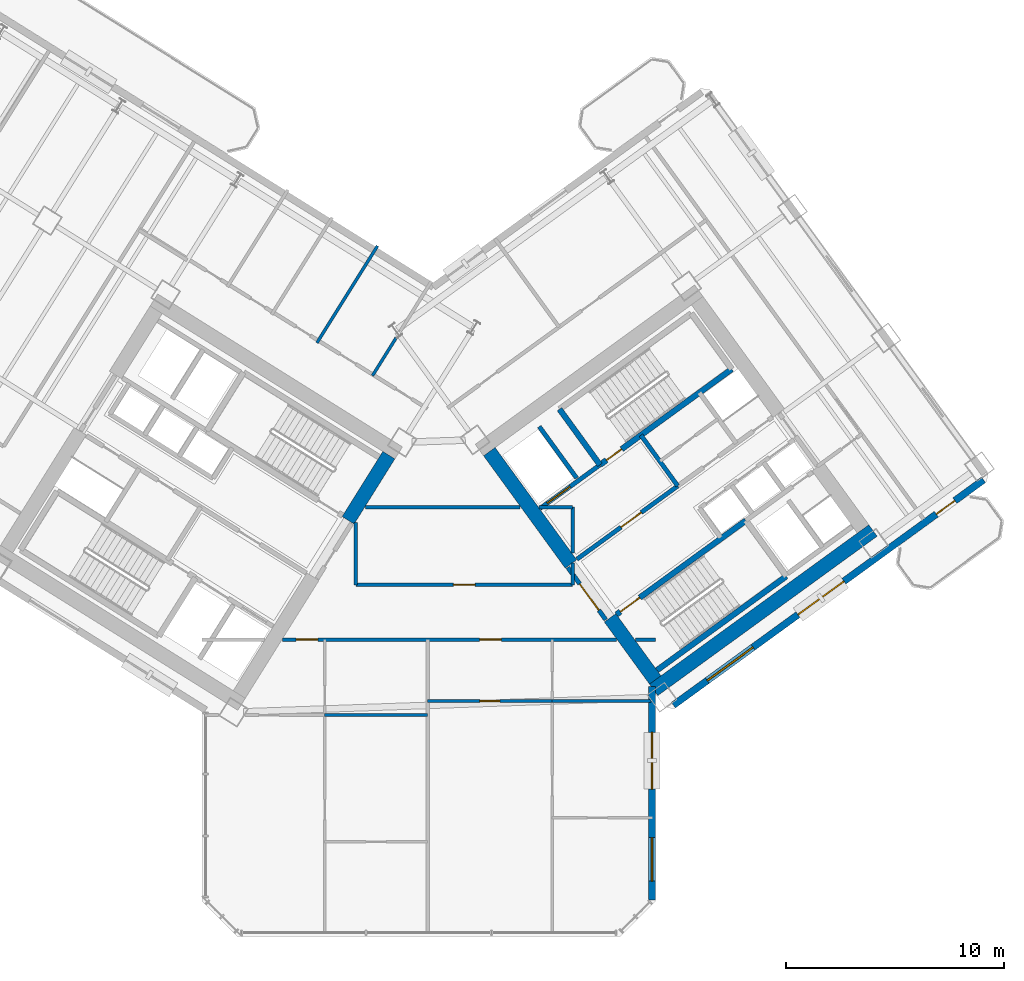
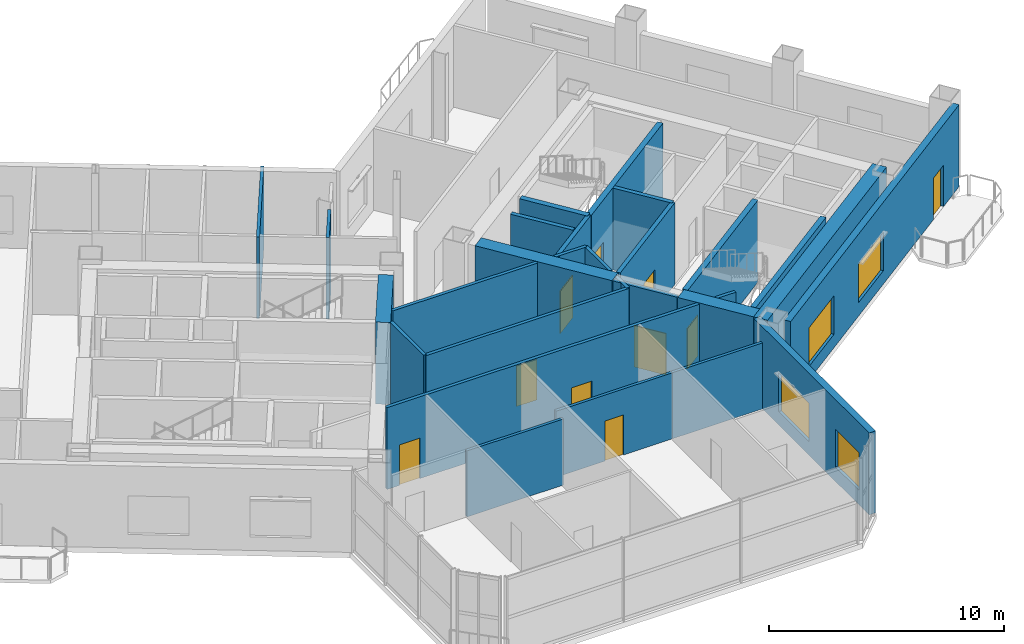
# One storey, part 13 of 19: 28 walls, 10 doors, 4 windows, 14 openings.
"""IFC4 building model written with IfcOpenShell, lengths in metres."""

from ifc_helpers import new_model, si_unit, direction, frame, frame_2d, origin, place, context, subcontext, project, spatial, rectangle, extrude, source, transform, mapped, material, layer, layer_set, type_object, element, fill, save


model = new_model("IFC4")

# Units and contexts
model_context = context("Model", 3, precision=1e-05, world=origin(), true_north=direction((0.0, 1.0)))
body_context = subcontext(model_context, "Body", "Model", "MODEL_VIEW")
ifc_project = project(units=[si_unit("LENGTHUNIT", "METRE"), si_unit("AREAUNIT", "SQUARE_METRE"), si_unit("VOLUMEUNIT", "CUBIC_METRE"), si_unit("PLANEANGLEUNIT", "RADIAN"), si_unit("MASSUNIT", "GRAM", prefix="KILO")], contexts=[model_context])

# Site, building, storey
site_placement = place(None, origin())
site = spatial("IfcSite", under=ifc_project, at=site_placement, CompositionType="ELEMENT")
building_placement = place(site_placement, origin())
building = spatial("IfcBuilding", under=site, at=building_placement, Name="Tlacorven Tower", CompositionType="ELEMENT")
storey_placement = place(building_placement, frame((0.0, 0.0, 76.5)))
storey = spatial("IfcBuildingStorey", under=building, at=storey_placement, Name="L19", CompositionType="ELEMENT", Elevation=76.5)

# Walls
ifc_material_1 = material(Name="Concrete C60/75", Category="concrete")
ifc_layer_1 = layer(ifc_material_1, 0.64990234375)
ifc_layer_set_1 = layer_set([ifc_layer_1], Name="Concrete C60/75")
wall_type_1 = type_object("IfcWallType", Name="WL-COR-650", PredefinedType="SHEAR", material=ifc_layer_set_1)
wall_1_placement = place(storey_placement, frame((40.167724609375, 23.880126953125, 0.0), z_axis=(0.0, 0.0, 1.0), x_axis=(-0.529893103397, -0.8480644427, 0.0)))
element("IfcWall", 1, at=wall_1_placement, inside=storey, type_object=wall_type_1, Name="L19 W core end wall E1.1", PredefinedType="SHEAR", context=body_context, shape_type="SweptSolid", body=[
    extrude(rectangle(XDim=3.525146484375, YDim=0.64990234375, at=frame_2d((1.7626953125, 0.0))), origin(), (0.0, 0.0, 1.0), 4.25),
])
wall_2_placement = place(storey_placement, frame((52.318359375, 13.1103515625, 0.0), z_axis=(0.0, 0.0, 1.0), x_axis=(0.809019445368, 0.587781878776, 0.0)))
element("IfcWall", 2, at=wall_2_placement, inside=storey, type_object=wall_type_1, Name="L19 E core shear wall S1", PredefinedType="SHEAR", context=body_context, shape_type="SweptSolid", body=[
    extrude(rectangle(XDim=12.43994140625, YDim=0.64990234375, at=frame_2d((6.219970703125, 0.0))), origin(), (0.0, 0.0, 1.0), 4.25),
])
wall_3_placement = place(storey_placement, frame((52.390380859375, 13.564208984375, 0.0), z_axis=(0.0, 0.0, 1.0), x_axis=(-0.58779688989, 0.809008539037, 0.0)))
element("IfcWall", 3, at=wall_3_placement, inside=storey, type_object=wall_type_1, Name="L19 E core end wall E1.1", PredefinedType="SHEAR", context=body_context, shape_type="SweptSolid", body=[
    extrude(rectangle(XDim=3.525146484375, YDim=0.64990234375, at=frame_2d((1.7626953125, 0.0))), origin(), (0.0, 0.0, 1.0), 4.25),
])
wall_4_placement = place(storey_placement, frame((48.525634765625, 18.883544921875, 0.0), z_axis=(0.0, 0.0, 1.0), x_axis=(-0.58777996584, 0.809020835181, 0.0)))
element("IfcWall", 4, at=wall_4_placement, inside=storey, type_object=wall_type_1, Name="L19 E core end wall E1.2", PredefinedType="SHEAR", context=body_context, shape_type="SweptSolid", body=[
    extrude(rectangle(XDim=6.375, YDim=0.64990234375, at=frame_2d((3.1875, 0.0))), origin(), (0.0, 0.0, 1.0), 4.25),
])

# Wall, openings, doors
ifc_material_2 = material(Name="Gypsum plasterboard acoustic partition", Category="gypsum")
ifc_layer_2 = layer(ifc_material_2, 0.159912109375)
ifc_layer_set_2 = layer_set([ifc_layer_2], Name="Gypsum plasterboard acoustic partition")
wall_type_2 = type_object("IfcWallType", Name="WL-DEM-160", PredefinedType="PARTITIONING", material=ifc_layer_set_2)
wall_5_placement = place(storey_placement, frame((35.29638671875, 15.419921875, 0.0), z_axis=(0.0, 0.0, 1.0), x_axis=(1.0, 0.0, 0.0)))
wall_5 = element("IfcWall", 5, at=wall_5_placement, inside=storey, type_object=wall_type_2, Name="L19 Knuckle Corridor South Wall", PredefinedType="PARTITIONING", context=body_context, shape_type="SweptSolid", body=[
    extrude(rectangle(XDim=15.310546875, YDim=0.159912109375, at=frame_2d((7.6552734375, 0.0))), origin(), (0.0, 0.0, 1.0), 4.239990234375),
])
opening_1_placement = place(wall_5_placement, frame((0.61474609375, 0.0, 0.0)))
opening_1 = element("IfcOpeningElement", 6, at=opening_1_placement, cuts=wall_5, Name="Opening D11", PredefinedType="OPENING", context=body_context, shape_type="SweptSolid", body=[
    extrude(rectangle(XDim=1.0, YDim=2.10009765625, at=frame_2d((0.5, 1.050048828125))), frame((0.0, 0.08984375, 0.0), z_axis=(0.0, -1.0, 0.0), x_axis=(1.0, 0.0, 0.0)), (0.0, 0.0, 1.0), 0.179931640625),
])
opening_2_placement = place(wall_5_placement, frame((9.03515625, 0.0, 0.0)))
opening_2 = element("IfcOpeningElement", 7, at=opening_2_placement, cuts=wall_5, Name="Opening D11", PredefinedType="OPENING", context=body_context, shape_type="SweptSolid", body=[
    extrude(rectangle(XDim=1.0, YDim=2.10009765625, at=frame_2d((0.5, 1.050048828125))), frame((0.0, 0.08984375, 0.0), z_axis=(0.0, -1.0, 0.0), x_axis=(1.0, 0.0, 0.0)), (0.0, 0.0, 1.0), 0.179931640625),
])
ifc_material_3 = material(Name="Fire-rated steel door assembly", Category="steel")
door_type_1 = type_object("IfcDoorType", Name="DR-FLT-FD60-1000", OperationType="NOTDEFINED", PredefinedType="DOOR", material=ifc_material_3)
shared_shape_1 = source(origin(), body_context, "Body", "SweptSolid", [
    extrude(rectangle(XDim=1.0, YDim=2.10009765625, at=frame_2d((0.5, 1.050048828125))), frame((0.0, 0.02490234375, 0.0), z_axis=(0.0, -1.0, 0.0), x_axis=(1.0, 0.0, 0.0)), (0.0, 0.0, 1.0), 0.050048828125),
])
door_1_placement = place(opening_1_placement, frame((1.0, 0.0, 0.0), z_axis=(0.0, 0.0, 1.0), x_axis=(-1.0, 0.0, 0.0)))
door_1 = element("IfcDoor", 8, at=door_1_placement, inside=storey, type_object=door_type_1, Name="L19 door 035", OperationType="SINGLE_SWING_RIGHT", OverallHeight=2.10009765625, OverallWidth=1.0, PredefinedType="DOOR", context=body_context, shape_type="MappedRepresentation", body=[
    mapped(shared_shape_1, transform((0.0, 0.0, 0.0), scale=1.0)),
])
fill(opening_1, door_1)
door_2_placement = place(opening_2_placement, frame((1.0, 0.0, 0.0), z_axis=(0.0, 0.0, 1.0), x_axis=(-1.0, 0.0, 0.0)))
door_2 = element("IfcDoor", 9, at=door_2_placement, inside=storey, type_object=door_type_1, Name="L19 door 040", OperationType="SINGLE_SWING_LEFT", OverallHeight=2.10009765625, OverallWidth=1.0, PredefinedType="DOOR", context=body_context, shape_type="MappedRepresentation", body=[
    mapped(shared_shape_1, transform((0.0, 0.0, 0.0), scale=1.0)),
])
fill(opening_2, door_2)

# Wall
wall_6_placement = place(storey_placement, frame((51.477294921875, 15.419921875, 0.0), z_axis=(0.0, 0.0, 1.0), x_axis=(1.0, 0.0, 0.0)))
element("IfcWall", 10, at=wall_6_placement, inside=storey, type_object=wall_type_2, Name="L19 Knuckle Corridor South Wall", PredefinedType="PARTITIONING", context=body_context, shape_type="SweptSolid", body=[
    extrude(rectangle(XDim=0.922607421875, YDim=0.159912109375, at=frame_2d((0.46142578125, 0.0))), origin(), (0.0, 0.0, 1.0), 4.239990234375),
])

# Wall, opening, door
wall_7_placement = place(storey_placement, frame((38.64990234375, 17.929931640625, 0.0), z_axis=(0.0, 0.0, 1.0), x_axis=(1.0, 0.0, 0.0)))
wall_7 = element("IfcWall", 11, at=wall_7_placement, inside=storey, type_object=wall_type_2, Name="L19 partition 64", PredefinedType="PARTITIONING", context=body_context, shape_type="SweptSolid", body=[
    extrude(rectangle(XDim=9.9501953125, YDim=0.159912109375, at=frame_2d((4.97509765625, 0.0))), origin(), (0.0, 0.0, 1.0), 4.239990234375),
])
opening_3_placement = place(wall_7_placement, frame((4.47509765625, 0.0, 0.0)))
opening_3 = element("IfcOpeningElement", 12, at=opening_3_placement, cuts=wall_7, Name="Opening D11", PredefinedType="OPENING", context=body_context, shape_type="SweptSolid", body=[
    extrude(rectangle(XDim=1.0, YDim=2.10009765625, at=frame_2d((0.5, 1.050048828125))), frame((0.0, 0.08984375, 0.0), z_axis=(0.0, -1.0, 0.0), x_axis=(1.0, 0.0, 0.0)), (0.0, 0.0, 1.0), 0.179931640625),
])
door_3_placement = place(opening_3_placement, origin())
door_3 = element("IfcDoor", 13, at=door_3_placement, inside=storey, type_object=door_type_1, Name="L19 door 030", OperationType="SINGLE_SWING_LEFT", OverallHeight=2.10009765625, OverallWidth=1.0, PredefinedType="DOOR", context=body_context, shape_type="MappedRepresentation", body=[
    mapped(shared_shape_1, transform((0.0, 0.0, 0.0), scale=1.0)),
])
fill(opening_3, door_3)

# Walls
wall_8_placement = place(storey_placement, frame((38.64990234375, 17.929931640625, 0.0), z_axis=(0.0, 0.0, 1.0), x_axis=(0.0, 1.0, 0.0)))
element("IfcWall", 14, at=wall_8_placement, inside=storey, type_object=wall_type_2, Name="L19 partition 65", PredefinedType="PARTITIONING", context=body_context, shape_type="SweptSolid", body=[
    extrude(rectangle(XDim=2.85693359375, YDim=0.159912109375, at=frame_2d((1.428466796875, 0.0))), origin(), (0.0, 0.0, 1.0), 4.239990234375),
])
wall_9_placement = place(storey_placement, frame((48.60009765625, 17.929931640625, 0.0), z_axis=(0.0, 0.0, 1.0), x_axis=(0.0, 1.0, 0.0)))
element("IfcWall", 15, at=wall_9_placement, inside=storey, type_object=wall_type_2, Name="L19 partition 66", PredefinedType="PARTITIONING", context=body_context, shape_type="SweptSolid", body=[
    extrude(rectangle(XDim=0.99267578125, YDim=0.159912109375, at=frame_2d((0.496337890625, 0.0))), origin(), (0.0, 0.0, 1.0), 4.239990234375),
])
wall_10_placement = place(storey_placement, frame((48.60009765625, 19.380126953125, 0.0), z_axis=(0.0, 0.0, 1.0), x_axis=(0.0, 1.0, 0.0)))
element("IfcWall", 16, at=wall_10_placement, inside=storey, type_object=wall_type_2, Name="L19 partition 66", PredefinedType="PARTITIONING", context=body_context, shape_type="SweptSolid", body=[
    extrude(rectangle(XDim=2.119873046875, YDim=0.159912109375, at=frame_2d((1.06005859375, 0.0))), origin(), (0.0, 0.0, 1.0), 4.239990234375),
])
wall_11_placement = place(storey_placement, frame((39.095458984375, 21.5, 0.0), z_axis=(0.0, 0.0, 1.0), x_axis=(1.0, 0.0, 0.0)))
element("IfcWall", 17, at=wall_11_placement, inside=storey, type_object=wall_type_2, Name="L19 partition 67", PredefinedType="PARTITIONING", context=body_context, shape_type="SweptSolid", body=[
    extrude(rectangle(XDim=7.09423828125, YDim=0.159912109375, at=frame_2d((3.547119140625, 0.0))), origin(), (0.0, 0.0, 1.0), 4.239990234375),
])
wall_12_placement = place(storey_placement, frame((47.059814453125, 21.5, 0.0), z_axis=(0.0, 0.0, 1.0), x_axis=(1.0, 0.0, 0.0)))
element("IfcWall", 18, at=wall_12_placement, inside=storey, type_object=wall_type_2, Name="L19 partition 67", PredefinedType="PARTITIONING", context=body_context, shape_type="SweptSolid", body=[
    extrude(rectangle(XDim=1.540283203125, YDim=0.159912109375, at=frame_2d((0.77001953125, 0.0))), origin(), (0.0, 0.0, 1.0), 4.239990234375),
])

# Wall, openings, door, windows
ifc_material_4 = material(Name="Precast concrete C45/55", Category="concrete")
ifc_layer_3 = layer(ifc_material_4, 0.320068359375)
ifc_layer_set_3 = layer_set([ifc_layer_3], Name="Precast concrete C45/55")
wall_type_3 = type_object("IfcWallType", Name="WL-EXT-320", PredefinedType="STANDARD", material=ifc_layer_set_3)
wall_13_placement = place(storey_placement, frame((67.45361328125, 22.746826171875, 0.0), z_axis=(0.0, 0.0, 1.0), x_axis=(-0.809021120468, -0.587779573171, 0.0)))
wall_13 = element("IfcWall", 19, at=wall_13_placement, inside=storey, type_object=wall_type_3, Name="L19 Masonry-Frame Recessed Facade Wall 6", PredefinedType="STANDARD", context=body_context, shape_type="SweptSolid", body=[
    extrude(rectangle(XDim=17.587646484375, YDim=0.320068359375, at=frame_2d((8.7939453125, 0.0))), origin(), (0.0, 0.0, 1.0), 4.25),
])
opening_4_placement = place(wall_13_placement, frame((1.623779296875, 0.0, 0.0)))
opening_4 = element("IfcOpeningElement", 20, at=opening_4_placement, cuts=wall_13, Name="Opening D06", PredefinedType="OPENING", context=body_context, shape_type="SweptSolid", body=[
    extrude(rectangle(XDim=1.050048828125, YDim=2.14990234375, at=frame_2d((0.52490234375, 1.074951171875))), frame((0.0, 0.169921875, 0.0), z_axis=(0.0, -1.0, 0.0), x_axis=(1.0, 0.0, 0.0)), (0.0, 0.0, 1.0), 0.340087890625),
])
opening_5_placement = place(wall_13_placement, frame((7.918701171875, 0.0, 0.699951171875)))
opening_5 = element("IfcOpeningElement", 21, at=opening_5_placement, cuts=wall_13, Name="Opening WN10", PredefinedType="OPENING", context=body_context, shape_type="SweptSolid", body=[
    extrude(rectangle(XDim=2.60009765625, YDim=2.0, at=frame_2d((1.300048828125, 1.0))), frame((0.0, 0.169921875, 0.0), z_axis=(0.0, -1.0, 0.0), x_axis=(1.0, 0.0, 0.0)), (0.0, 0.0, 1.0), 0.340087890625),
])
opening_6_placement = place(wall_13_placement, frame((13.068603515625, 0.0, 0.699951171875)))
opening_6 = element("IfcOpeningElement", 22, at=opening_6_placement, cuts=wall_13, Name="Opening WN10", PredefinedType="OPENING", context=body_context, shape_type="SweptSolid", body=[
    extrude(rectangle(XDim=2.60009765625, YDim=2.0, at=frame_2d((1.300048828125, 1.0))), frame((0.0, 0.169921875, 0.0), z_axis=(0.0, -1.0, 0.0), x_axis=(1.0, 0.0, 0.0)), (0.0, 0.0, 1.0), 0.340087890625),
])
ifc_material_5 = material(Name="Powder-coated aluminium and timber door", Category="wood")
door_type_2 = type_object("IfcDoorType", Name="DR-EXT-BALC-1050", OperationType="NOTDEFINED", PredefinedType="DOOR", material=ifc_material_5)
shared_shape_2 = source(origin(), body_context, "Body", "SweptSolid", [
    extrude(rectangle(XDim=1.050048828125, YDim=2.14990234375, at=frame_2d((0.52490234375, 1.074951171875))), frame((0.0, 0.02490234375, 0.0), z_axis=(0.0, -1.0, 0.0), x_axis=(1.0, 0.0, 0.0)), (0.0, 0.0, 1.0), 0.050048828125),
])
door_4_placement = place(opening_4_placement, origin())
door_4 = element("IfcDoor", 23, at=door_4_placement, inside=storey, type_object=door_type_2, Name="L19 Outdoor Access Door BAL-L19-E-OUT", OperationType="SINGLE_SWING_LEFT", OverallHeight=2.14990234375, OverallWidth=1.050048828125, PredefinedType="DOOR", context=body_context, shape_type="MappedRepresentation", body=[
    mapped(shared_shape_2, transform((0.0, 0.0, 0.0), scale=1.0)),
])
fill(opening_4, door_4)
ifc_material_6 = material(Name="Dark solar low-E double glazing in anodised aluminium frame", Category="aluminium")
window_type_1 = type_object("IfcWindowType", Name="WN-COM-2600X2200", PartitioningType="SINGLE_PANEL", PredefinedType="WINDOW", material=ifc_material_6)
shared_shape_3 = source(origin(), body_context, "Body", "SweptSolid", [
    extrude(rectangle(XDim=2.60009765625, YDim=2.0, at=frame_2d((1.300048828125, 1.0))), frame((0.0, 0.030029296875, 0.0), z_axis=(0.0, -1.0, 0.0), x_axis=(1.0, 0.0, 0.0)), (0.0, 0.0, 1.0), 0.06005859375),
])
window_1_placement = place(opening_5_placement, origin())
window_1 = element("IfcWindow", 24, at=window_1_placement, inside=storey, type_object=window_type_1, Name="L19 Recessed Masonry-Frame Window L19-06.1", OverallHeight=2.0, OverallWidth=2.60009765625, PartitioningType="SINGLE_PANEL", PredefinedType="WINDOW", context=body_context, shape_type="MappedRepresentation", body=[
    mapped(shared_shape_3, transform((0.0, 0.0, 0.0), scale=1.0)),
])
fill(opening_5, window_1)
window_2_placement = place(opening_6_placement, origin())
window_2 = element("IfcWindow", 25, at=window_2_placement, inside=storey, type_object=window_type_1, Name="L19 Recessed Masonry-Frame Window L19-06.2", OverallHeight=2.0, OverallWidth=2.60009765625, PartitioningType="SINGLE_PANEL", PredefinedType="WINDOW", context=body_context, shape_type="MappedRepresentation", body=[
    mapped(shared_shape_3, transform((0.0, 0.0, 0.0), scale=1.0)),
])
fill(opening_6, window_2)

# Wall, openings, windows
wall_14_placement = place(storey_placement, frame((52.239990234375, 13.260986328125, 0.0), z_axis=(0.0, 0.0, 1.0), x_axis=(0.0, -1.0, 0.0)))
wall_14 = element("IfcWall", 26, at=wall_14_placement, inside=storey, type_object=wall_type_3, Name="L19 Masonry-Frame Recessed Facade Wall 7", PredefinedType="STANDARD", context=body_context, shape_type="SweptSolid", body=[
    extrude(rectangle(XDim=9.794677734375, YDim=0.320068359375, at=frame_2d((4.8974609375, 0.0))), origin(), (0.0, 0.0, 1.0), 4.25),
])
opening_7_placement = place(wall_14_placement, frame((2.099365234375, 0.0, 0.699951171875)))
opening_7 = element("IfcOpeningElement", 27, at=opening_7_placement, cuts=wall_14, Name="Opening WN10", PredefinedType="OPENING", context=body_context, shape_type="SweptSolid", body=[
    extrude(rectangle(XDim=2.60009765625, YDim=2.0, at=frame_2d((1.300048828125, 1.0))), frame((0.0, 0.169921875, 0.0), z_axis=(0.0, -1.0, 0.0), x_axis=(1.0, 0.0, 0.0)), (0.0, 0.0, 1.0), 0.340087890625),
])
opening_8_placement = place(wall_14_placement, frame((6.93017578125, 0.0, 0.75)))
opening_8 = element("IfcOpeningElement", 28, at=opening_8_placement, cuts=wall_14, Name="Opening WN11", PredefinedType="OPENING", context=body_context, shape_type="SweptSolid", body=[
    extrude(rectangle(XDim=2.0, YDim=1.949951171875, at=frame_2d((1.0, 0.97509765625))), frame((0.0, 0.169921875, 0.0), z_axis=(0.0, -1.0, 0.0), x_axis=(1.0, 0.0, 0.0)), (0.0, 0.0, 1.0), 0.340087890625),
])
window_3_placement = place(opening_7_placement, origin())
window_3 = element("IfcWindow", 29, at=window_3_placement, inside=storey, type_object=window_type_1, Name="L19 Recessed Masonry-Frame Window L19-07.1", OverallHeight=2.0, OverallWidth=2.60009765625, PartitioningType="SINGLE_PANEL", PredefinedType="WINDOW", context=body_context, shape_type="MappedRepresentation", body=[
    mapped(shared_shape_3, transform((0.0, 0.0, 0.0), scale=1.0)),
])
fill(opening_7, window_3)
window_type_2 = type_object("IfcWindowType", Name="WN-COM-2000X2100", PartitioningType="SINGLE_PANEL", PredefinedType="WINDOW", material=ifc_material_6)
shared_shape_4 = source(origin(), body_context, "Body", "SweptSolid", [
    extrude(rectangle(XDim=2.0, YDim=1.949951171875, at=frame_2d((1.0, 0.97509765625))), frame((0.0, 0.030029296875, 0.0), z_axis=(0.0, -1.0, 0.0), x_axis=(1.0, 0.0, 0.0)), (0.0, 0.0, 1.0), 0.06005859375),
])
window_4_placement = place(opening_8_placement, origin())
window_4 = element("IfcWindow", 30, at=window_4_placement, inside=storey, type_object=window_type_2, Name="L19 Recessed Masonry-Frame Window L19-07.2", OverallHeight=1.949951171875, OverallWidth=2.0, PartitioningType="SINGLE_PANEL", PredefinedType="WINDOW", context=body_context, shape_type="MappedRepresentation", body=[
    mapped(shared_shape_4, transform((0.0, 0.0, 0.0), scale=1.0)),
])
fill(opening_8, window_4)

# Walls
ifc_material_7 = material(Name="Moisture-resistant gypsum plumbing wall", Category="gypsum")
ifc_layer_4 = layer(ifc_material_7, 0.139892578125)
ifc_layer_set_4 = layer_set([ifc_layer_4], Name="Moisture-resistant gypsum plumbing wall")
wall_type_4 = type_object("IfcWallType", Name="WL-PLM-140", PredefinedType="PLUMBINGWALL", material=ifc_layer_set_4)
wall_15_placement = place(storey_placement, frame((40.511962890625, 29.28076171875, 0.0), z_axis=(0.0, 0.0, 1.0), x_axis=(-0.529935255849, -0.848038103276, 0.0)))
element("IfcWall", 31, at=wall_15_placement, inside=storey, type_object=wall_type_4, Name="L19 partition 57", PredefinedType="PLUMBINGWALL", context=body_context, shape_type="SweptSolid", body=[
    extrude(rectangle(XDim=2.067626953125, YDim=0.139892578125, at=frame_2d((1.03369140625, 0.0))), origin(), (0.0, 0.0, 1.0), 4.239990234375),
])
wall_16_placement = place(storey_placement, frame((39.645751953125, 33.48046875, 0.0), z_axis=(0.0, 0.0, 1.0), x_axis=(-0.529923555071, -0.848045414928, 0.0)))
element("IfcWall", 32, at=wall_16_placement, inside=storey, type_object=wall_type_4, Name="L19 partition 59", PredefinedType="PLUMBINGWALL", context=body_context, shape_type="SweptSolid", body=[
    extrude(rectangle(XDim=5.239990234375, YDim=0.139892578125, at=frame_2d((2.6201171875, 0.0))), origin(), (0.0, 0.0, 1.0), 4.239990234375),
])
wall_17_placement = place(storey_placement, frame((37.221923828125, 11.949951171875, 0.0), z_axis=(0.0, 0.0, 1.0), x_axis=(1.0, 0.0, 0.0)))
element("IfcWall", 33, at=wall_17_placement, inside=storey, type_object=wall_type_4, Name="L19 partition 72", PredefinedType="PLUMBINGWALL", context=body_context, shape_type="SweptSolid", body=[
    extrude(rectangle(XDim=4.72802734375, YDim=0.139892578125, at=frame_2d((2.364013671875, 0.0))), origin(), (0.0, 0.0, 1.0), 3.425048828125),
])

# Wall, opening, door
wall_18_placement = place(storey_placement, frame((41.949951171875, 12.60009765625, 0.0), z_axis=(0.0, 0.0, 1.0), x_axis=(1.0, 0.0, 0.0)))
wall_18 = element("IfcWall", 34, at=wall_18_placement, inside=storey, type_object=wall_type_4, Name="L19 partition 75", PredefinedType="PLUMBINGWALL", context=body_context, shape_type="SweptSolid", body=[
    extrude(rectangle(XDim=5.713134765625, YDim=0.139892578125, at=frame_2d((2.8564453125, 0.0))), origin(), (0.0, 0.0, 1.0), 3.425048828125),
])
opening_9_placement = place(wall_18_placement, frame((2.396484375, 0.0, 0.0)))
opening_9 = element("IfcOpeningElement", 35, at=opening_9_placement, cuts=wall_18, Name="Opening D12", PredefinedType="OPENING", context=body_context, shape_type="SweptSolid", body=[
    extrude(rectangle(XDim=0.919921875, YDim=2.080078125, at=frame_2d((0.4599609375, 1.0400390625))), frame((0.0, 0.080078125, 0.0), z_axis=(0.0, -1.0, 0.0), x_axis=(1.0, 0.0, 0.0)), (0.0, 0.0, 1.0), 0.159912109375),
])
door_type_3 = type_object("IfcDoorType", Name="DR-INT-ROOM-0920", OperationType="NOTDEFINED", PredefinedType="DOOR", material=ifc_material_5)
shared_shape_5 = source(origin(), body_context, "Body", "SweptSolid", [
    extrude(rectangle(XDim=0.919921875, YDim=2.080078125, at=frame_2d((0.4599609375, 1.0400390625))), frame((0.0, 0.02490234375, 0.0), z_axis=(0.0, -1.0, 0.0), x_axis=(1.0, 0.0, 0.0)), (0.0, 0.0, 1.0), 0.050048828125),
])
door_5_placement = place(opening_9_placement, frame((0.919921875, 0.0, 0.0), z_axis=(0.0, 0.0, 1.0), x_axis=(-1.0, 0.0, 0.0)))
door_5 = element("IfcDoor", 36, at=door_5_placement, inside=storey, type_object=door_type_3, Name="L19 door 041", OperationType="SINGLE_SWING_RIGHT", OverallHeight=2.080078125, OverallWidth=0.919921875, PredefinedType="DOOR", context=body_context, shape_type="MappedRepresentation", body=[
    mapped(shared_shape_5, transform((0.0, 0.0, 0.0), scale=1.0)),
])
fill(opening_9, door_5)

# Wall
wall_19_placement = place(storey_placement, frame((47.6630859375, 12.60009765625, 0.0), z_axis=(0.0, 0.0, 1.0), x_axis=(1.0, 0.0, 0.0)))
element("IfcWall", 37, at=wall_19_placement, inside=storey, type_object=wall_type_4, Name="L19 partition 76", PredefinedType="PLUMBINGWALL", context=body_context, shape_type="SweptSolid", body=[
    extrude(rectangle(XDim=4.535400390625, YDim=0.139892578125, at=frame_2d((2.267578125, 0.0))), origin(), (0.0, 0.0, 1.0), 3.425048828125),
])

# Wall, opening, door
ifc_material_8 = material(Name="Concrete C40/50", Category="concrete")
ifc_layer_5 = layer(ifc_material_8, 0.199951171875)
ifc_layer_set_5 = layer_set([ifc_layer_5], Name="Concrete C40/50")
wall_type_5 = type_object("IfcWallType", Name="WL-SHF-200", PredefinedType="STANDARD", material=ifc_layer_set_5)
wall_20_placement = place(storey_placement, frame((47.10595703125, 21.4365234375, 0.0), z_axis=(0.0, 0.0, 1.0), x_axis=(0.809012514015, 0.58779141893, 0.0)))
wall_20 = element("IfcWall", 38, at=wall_20_placement, inside=storey, type_object=wall_type_5, Name="L19 Core E Firefighting Lift Shaft Front Wall", PredefinedType="STANDARD", context=body_context, shape_type="SweptSolid", body=[
    extrude(rectangle(XDim=3.39794921875, YDim=0.199951171875, at=frame_2d((1.698974609375, 0.0))), origin(), (0.0, 0.0, 1.0), 4.239990234375),
])
opening_10_placement = place(wall_20_placement, frame((0.407958984375, 0.0, 0.0)))
opening_10 = element("IfcOpeningElement", 39, at=opening_10_placement, cuts=wall_20, Name="Opening LD03", PredefinedType="OPENING", context=body_context, shape_type="SweptSolid", body=[
    extrude(rectangle(XDim=1.300048828125, YDim=2.199951171875, at=frame_2d((0.64990234375, 1.10009765625))), frame((0.0, 0.10986328125, 0.0), z_axis=(0.0, -1.0, 0.0), x_axis=(1.0, 0.0, 0.0)), (0.0, 0.0, 1.0), 0.219970703125),
])
door_type_4 = type_object("IfcDoorType", Name="DR-LFT-SLID-1300", OperationType="DOUBLE_DOOR_SLIDING", PredefinedType="DOOR", material=ifc_material_3)
shared_shape_6 = source(origin(), body_context, "Body", "SweptSolid", [
    extrude(rectangle(XDim=1.300048828125, YDim=2.199951171875, at=frame_2d((0.64990234375, 1.10009765625))), frame((0.0, 0.02490234375, 0.0), z_axis=(0.0, -1.0, 0.0), x_axis=(1.0, 0.0, 0.0)), (0.0, 0.0, 1.0), 0.050048828125),
])
door_6_placement = place(opening_10_placement, origin())
door_6 = element("IfcDoor", 40, at=door_6_placement, inside=storey, type_object=door_type_4, Name="L19 Lift FFL-E1 Sliding Landing Door", OperationType="DOUBLE_DOOR_SLIDING", OverallHeight=2.199951171875, OverallWidth=1.300048828125, PredefinedType="DOOR", context=body_context, shape_type="MappedRepresentation", body=[
    mapped(shared_shape_6, transform((0.0, 0.0, 0.0), scale=1.0)),
])
fill(opening_10, door_6)

wall_21_placement = place(storey_placement, frame((48.798828125, 19.106689453125, 0.0), z_axis=(0.0, 0.0, 1.0), x_axis=(0.809012959416, 0.587790805897, 0.0)))
wall_21 = element("IfcWall", 41, at=wall_21_placement, inside=storey, type_object=wall_type_5, Name="L19 Core E Smoke Lobby Wall", PredefinedType="STANDARD", context=body_context, shape_type="SweptSolid", body=[
    extrude(rectangle(XDim=5.7177734375, YDim=0.199951171875, at=frame_2d((2.85888671875, 0.0))), origin(), (0.0, 0.0, 1.0), 4.239990234375),
])
opening_11_placement = place(wall_21_placement, frame((2.498046875, 0.0, 0.0)))
opening_11 = element("IfcOpeningElement", 42, at=opening_11_placement, cuts=wall_21, Name="Opening D09", PredefinedType="OPENING", context=body_context, shape_type="SweptSolid", body=[
    extrude(rectangle(XDim=1.14990234375, YDim=2.10009765625, at=frame_2d((0.574951171875, 1.050048828125))), frame((0.0, 0.10986328125, 0.0), z_axis=(0.0, -1.0, 0.0), x_axis=(1.0, 0.0, 0.0)), (0.0, 0.0, 1.0), 0.219970703125),
])
door_type_5 = type_object("IfcDoorType", Name="DR-FFL-FD60-1150", OperationType="NOTDEFINED", PredefinedType="DOOR", material=ifc_material_3)
shared_shape_7 = source(origin(), body_context, "Body", "SweptSolid", [
    extrude(rectangle(XDim=1.14990234375, YDim=2.10009765625, at=frame_2d((0.574951171875, 1.050048828125))), frame((0.0, 0.02490234375, 0.0), z_axis=(0.0, -1.0, 0.0), x_axis=(1.0, 0.0, 0.0)), (0.0, 0.0, 1.0), 0.050048828125),
])
door_7_placement = place(opening_11_placement, origin())
door_7 = element("IfcDoor", 43, at=door_7_placement, inside=storey, type_object=door_type_5, Name="L19 Firefighting Lobby E Fire Door", OperationType="SINGLE_SWING_RIGHT", OverallHeight=2.10009765625, OverallWidth=1.14990234375, PredefinedType="DOOR", context=body_context, shape_type="MappedRepresentation", body=[
    mapped(shared_shape_7, transform((0.0, 0.0, 0.0), scale=1.0)),
])
fill(opening_11, door_7)

# Walls
wall_22_placement = place(storey_placement, frame((48.78564453125, 22.830078125, 0.0), z_axis=(0.0, 0.0, 1.0), x_axis=(-0.587783856777, 0.809018008275, 0.0)))
element("IfcWall", 44, at=wall_22_placement, inside=storey, type_object=wall_type_5, Name="L19 partition 35", PredefinedType="STANDARD", context=body_context, shape_type="SweptSolid", body=[
    extrude(rectangle(XDim=2.919921875, YDim=0.199951171875, at=frame_2d((1.4599609375, 0.0))), origin(), (0.0, 0.0, 1.0), 4.239990234375),
])
wall_23_placement = place(storey_placement, frame((53.424560546875, 22.467529296875, 0.0), z_axis=(0.0, 0.0, 1.0), x_axis=(-0.5877230039, 0.809062216821, 0.0)))
element("IfcWall", 45, at=wall_23_placement, inside=storey, type_object=wall_type_5, Name="L19 partition 42", PredefinedType="STANDARD", context=body_context, shape_type="SweptSolid", body=[
    extrude(rectangle(XDim=2.8798828125, YDim=0.199951171875, at=frame_2d((1.43994140625, 0.0))), origin(), (0.0, 0.0, 1.0), 4.239990234375),
])

# Wall, opening, door
wall_24_placement = place(storey_placement, frame((50.119140625, 16.3330078125, 0.0), z_axis=(0.0, 0.0, 1.0), x_axis=(-0.587749856981, 0.809042709391, 0.0)))
wall_24 = element("IfcWall", 46, at=wall_24_placement, inside=storey, type_object=wall_type_5, Name="L19 partition 68", PredefinedType="STANDARD", context=body_context, shape_type="SweptSolid", body=[
    extrude(rectangle(XDim=2.9599609375, YDim=0.199951171875, at=frame_2d((1.47998046875, 0.0))), origin(), (0.0, 0.0, 1.0), 4.239990234375),
])
opening_12_placement = place(wall_24_placement, frame((0.530029296875, 0.0, 0.0)))
opening_12 = element("IfcOpeningElement", 47, at=opening_12_placement, cuts=wall_24, Name="Opening D10", PredefinedType="OPENING", context=body_context, shape_type="SweptSolid", body=[
    extrude(rectangle(XDim=1.5, YDim=2.14990234375, at=frame_2d((0.75, 1.074951171875))), frame((0.0, 0.10986328125, 0.0), z_axis=(0.0, -1.0, 0.0), x_axis=(1.0, 0.0, 0.0)), (0.0, 0.0, 1.0), 0.219970703125),
])
door_type_6 = type_object("IfcDoorType", Name="DR-LOB-FD60-1500", OperationType="DOUBLE_DOOR_SINGLE_SWING", PredefinedType="DOOR", material=ifc_material_3)
shared_shape_8 = source(origin(), body_context, "Body", "SweptSolid", [
    extrude(rectangle(XDim=1.5, YDim=2.14990234375, at=frame_2d((0.75, 1.074951171875))), frame((0.0, 0.02490234375, 0.0), z_axis=(0.0, -1.0, 0.0), x_axis=(1.0, 0.0, 0.0)), (0.0, 0.0, 1.0), 0.050048828125),
])
door_8_placement = place(opening_12_placement, frame((1.5, 0.0, 0.0), z_axis=(0.0, 0.0, 1.0), x_axis=(-1.0, 0.0, 0.0)))
door_8 = element("IfcDoor", 48, at=door_8_placement, inside=storey, type_object=door_type_6, Name="L19 door 032", OperationType="DOUBLE_DOOR_SINGLE_SWING", OverallHeight=2.14990234375, OverallWidth=1.5, PredefinedType="DOOR", context=body_context, shape_type="MappedRepresentation", body=[
    mapped(shared_shape_8, transform((0.0, 0.0, 0.0), scale=1.0)),
])
fill(opening_12, door_8)

ifc_material_9 = material(Name="Concrete C50/60", Category="concrete")
ifc_layer_6 = layer(ifc_material_9, 0.260009765625)
ifc_layer_set_6 = layer_set([ifc_layer_6], Name="Concrete C50/60")
wall_type_6 = type_object("IfcWallType", Name="WL-STW-260", PredefinedType="SHEAR", material=ifc_layer_set_6)
wall_25_placement = place(storey_placement, frame((49.863037109375, 23.439697265625, 0.0), z_axis=(0.0, 0.0, 1.0), x_axis=(0.809003474932, 0.587803859759, 0.0)))
wall_25 = element("IfcWall", 49, at=wall_25_placement, inside=storey, type_object=wall_type_6, Name="L19 Stair E1 Lobby Shear Wall", PredefinedType="SHEAR", context=body_context, shape_type="SweptSolid", body=[
    extrude(rectangle(XDim=7.4599609375, YDim=0.260009765625, at=frame_2d((3.72998046875, 0.0))), origin(), (0.0, 0.0, 1.0), 4.25),
])
opening_13_placement = place(wall_25_placement, frame((0.360107421875, 0.0, 0.0)))
opening_13 = element("IfcOpeningElement", 50, at=opening_13_placement, cuts=wall_25, Name="Opening D19", PredefinedType="OPENING", context=body_context, shape_type="SweptSolid", body=[
    extrude(rectangle(XDim=0.860107421875, YDim=2.050048828125, at=frame_2d((0.43017578125, 1.02490234375))), frame((0.0, 0.14013671875, 0.0), z_axis=(0.0, -1.0, 0.0), x_axis=(1.0, 0.0, 0.0)), (0.0, 0.0, 1.0), 0.280029296875),
])
door_type_7 = type_object("IfcDoorType", Name="DR-RSR-FD60-0860", OperationType="NOTDEFINED", PredefinedType="DOOR", material=ifc_material_3)
shared_shape_9 = source(origin(), body_context, "Body", "SweptSolid", [
    extrude(rectangle(XDim=0.860107421875, YDim=2.050048828125, at=frame_2d((0.43017578125, 1.02490234375))), frame((0.0, 0.02490234375, 0.0), z_axis=(0.0, -1.0, 0.0), x_axis=(1.0, 0.0, 0.0)), (0.0, 0.0, 1.0), 0.050048828125),
])
door_9_placement = place(opening_13_placement, frame((0.860107421875, 0.0, 0.0), z_axis=(0.0, 0.0, 1.0), x_axis=(-1.0, 0.0, 0.0)))
door_9 = element("IfcDoor", 51, at=door_9_placement, inside=storey, type_object=door_type_7, Name="L19 Exit Stair E1 Fire Door", OperationType="SINGLE_SWING_LEFT", OverallHeight=2.050048828125, OverallWidth=0.860107421875, PredefinedType="DOOR", context=body_context, shape_type="MappedRepresentation", body=[
    mapped(shared_shape_9, transform((0.0, 0.0, 0.0), scale=1.0)),
])
fill(opening_13, door_9)

# Walls
wall_26_placement = place(storey_placement, frame((49.85498046875, 23.433837890625, 0.0), z_axis=(0.0, 0.0, 1.0), x_axis=(-0.58776738483, 0.809029975545, 0.0)))
element("IfcWall", 52, at=wall_26_placement, inside=storey, type_object=wall_type_6, Name="L19 Stair E1 West Shear Wall", PredefinedType="SHEAR", context=body_context, shape_type="SweptSolid", body=[
    extrude(rectangle(XDim=3.16015625, YDim=0.260009765625, at=frame_2d((1.580078125, 0.0))), origin(), (0.0, 0.0, 1.0), 4.25),
])
wall_27_placement = place(storey_placement, frame((52.47216796875, 14.01318359375, 0.0), z_axis=(0.0, 0.0, 1.0), x_axis=(0.809028366311, 0.587769599847, 0.0)))
element("IfcWall", 53, at=wall_27_placement, inside=storey, type_object=wall_type_6, Name="L19 Stair E2 Far Shear Wall", PredefinedType="SHEAR", context=body_context, shape_type="SweptSolid", body=[
    extrude(rectangle(XDim=7.330078125, YDim=0.260009765625, at=frame_2d((3.6650390625, 0.0))), origin(), (0.0, 0.0, 1.0), 4.25),
])

# Wall, opening, door
wall_28_placement = place(storey_placement, frame((50.61474609375, 16.569580078125, 0.0), z_axis=(0.0, 0.0, 1.0), x_axis=(0.809028366311, 0.587769599847, 0.0)))
wall_28 = element("IfcWall", 54, at=wall_28_placement, inside=storey, type_object=wall_type_6, Name="L19 Stair E2 Lobby Shear Wall", PredefinedType="SHEAR", context=body_context, shape_type="SweptSolid", body=[
    extrude(rectangle(XDim=7.330078125, YDim=0.260009765625, at=frame_2d((3.6650390625, 0.0))), origin(), (0.0, 0.0, 1.0), 4.25),
])
opening_14_placement = place(wall_28_placement, frame((0.219970703125, 0.0, 0.0)))
opening_14 = element("IfcOpeningElement", 55, at=opening_14_placement, cuts=wall_28, Name="Opening D07", PredefinedType="OPENING", context=body_context, shape_type="SweptSolid", body=[
    extrude(rectangle(XDim=1.10009765625, YDim=2.10009765625, at=frame_2d((0.550048828125, 1.050048828125))), frame((0.0, 0.14013671875, 0.0), z_axis=(0.0, -1.0, 0.0), x_axis=(1.0, 0.0, 0.0)), (0.0, 0.0, 1.0), 0.280029296875),
])
door_type_8 = type_object("IfcDoorType", Name="DR-STR-FD90-1100", OperationType="NOTDEFINED", PredefinedType="DOOR", material=ifc_material_3)
shared_shape_10 = source(origin(), body_context, "Body", "SweptSolid", [
    extrude(rectangle(XDim=1.10009765625, YDim=2.10009765625, at=frame_2d((0.550048828125, 1.050048828125))), frame((0.0, 0.02490234375, 0.0), z_axis=(0.0, -1.0, 0.0), x_axis=(1.0, 0.0, 0.0)), (0.0, 0.0, 1.0), 0.050048828125),
])
door_10_placement = place(opening_14_placement, origin())
door_10 = element("IfcDoor", 56, at=door_10_placement, inside=storey, type_object=door_type_8, Name="L19 Exit Stair E2 Fire Door", OperationType="SINGLE_SWING_LEFT", OverallHeight=2.10009765625, OverallWidth=1.10009765625, PredefinedType="DOOR", context=body_context, shape_type="MappedRepresentation", body=[
    mapped(shared_shape_10, transform((0.0, 0.0, 0.0), scale=1.0)),
])
fill(opening_14, door_10)

save(model, "model.ifc")
